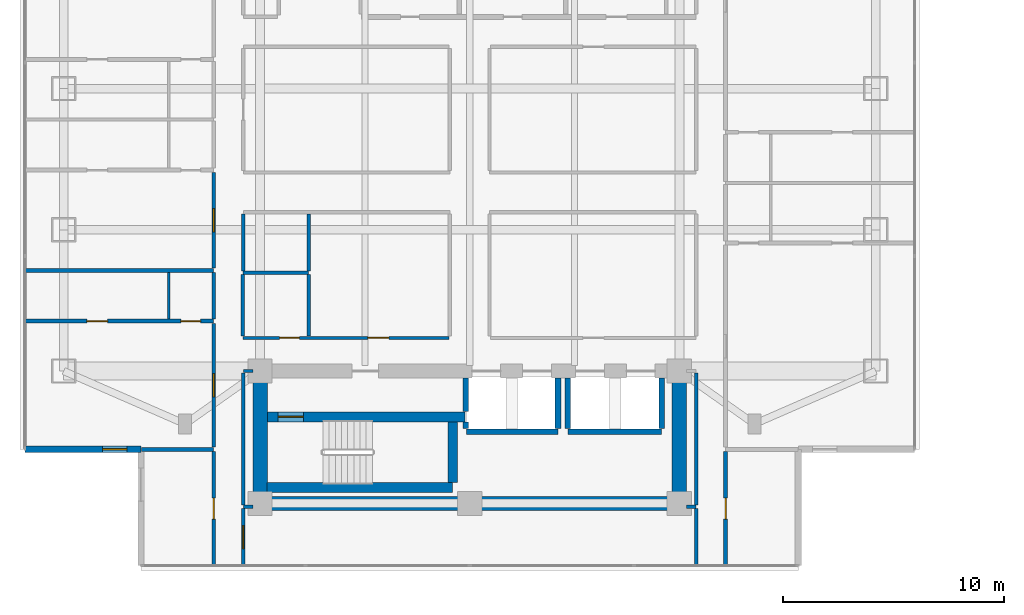
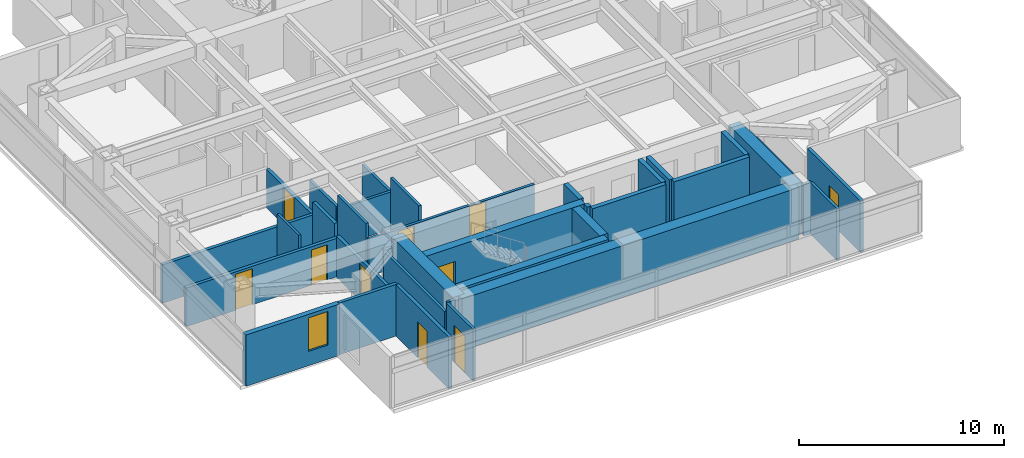
# One storey, part 14 of 26: 36 walls, 10 doors, 1 window, 11 openings.
"""IFC4 building model written with IfcOpenShell, lengths in metres."""

from ifc_helpers import new_model, si_unit, direction, frame, frame_2d, origin, place, context, subcontext, project, spatial, rectangle, extrude, material, layer, layer_set, type_object, element, fill, save


model = new_model("IFC4")

# Units and contexts
model_context = context("Model", 3, precision=1e-05, world=origin(), true_north=direction((0.0, 1.0)))
body_context = subcontext(model_context, "Body", "Model", "MODEL_VIEW")
ifc_project = project(units=[si_unit("LENGTHUNIT", "METRE"), si_unit("AREAUNIT", "SQUARE_METRE"), si_unit("VOLUMEUNIT", "CUBIC_METRE"), si_unit("PLANEANGLEUNIT", "RADIAN"), si_unit("MASSUNIT", "GRAM", prefix="KILO")], contexts=[model_context])

# Site, building, storey
site_placement = place(None, origin())
site = spatial("IfcSite", under=ifc_project, at=site_placement, CompositionType="ELEMENT")
building_placement = place(site_placement, origin())
building = spatial("IfcBuilding", under=site, at=building_placement, Name="Mirazonda Arch Towers", CompositionType="ELEMENT")
storey_placement = place(building_placement, frame((0.0, 0.0, 121.39990234375)))
storey = spatial("IfcBuildingStorey", under=building, at=storey_placement, Name="L34", CompositionType="ELEMENT", Elevation=121.39990234375)

# Wall
ifc_material_1 = material(Name="Concrete C50/60", Category="concrete")
ifc_layer_1 = layer(ifc_material_1, 0.449951171875, Name="WALL-CORE-450")
ifc_layer_set_1 = layer_set([ifc_layer_1], Name="Concrete C50/60")
wall_type_1 = type_object("IfcWallType", Name="WALL-CORE-450", PredefinedType="SHEAR", material=ifc_layer_set_1)
wall_1_placement = place(storey_placement, frame((11.320068359375, 13.1201171875, 0.0), z_axis=(0.0, 0.0, 1.0), x_axis=(1.0, 0.0, 0.0)))
element("IfcWall", 1, at=wall_1_placement, inside=storey, type_object=wall_type_1, Name="L34 Stair Core Shear Wall 003", PredefinedType="SHEAR", context=body_context, shape_type="SweptSolid", body=[
    extrude(rectangle(XDim=8.409912109375, YDim=0.449951171875, at=frame_2d((4.205078125, 0.0))), origin(), (0.0, 0.0, 1.0), 3.080078125),
])

# Wall, opening, door
wall_2_placement = place(storey_placement, frame((11.320068359375, 16.320068359375, 0.0), z_axis=(0.0, 0.0, 1.0), x_axis=(1.0, 0.0, 0.0)))
wall_2 = element("IfcWall", 2, at=wall_2_placement, inside=storey, type_object=wall_type_1, Name="L34 Stair Core Shear Wall 008", PredefinedType="SHEAR", context=body_context, shape_type="SweptSolid", body=[
    extrude(rectangle(XDim=8.9599609375, YDim=0.449951171875, at=frame_2d((4.47998046875, 0.0))), origin(), (0.0, 0.0, 1.0), 3.080078125),
])
opening_1_placement = place(wall_2_placement, frame((0.4951171875, 0.0, 0.0)))
opening_1 = element("IfcOpeningElement", 3, at=opening_1_placement, cuts=wall_2, Name="Opening DR-135", PredefinedType="OPENING", context=body_context, shape_type="SweptSolid", body=[
    extrude(rectangle(XDim=1.14990234375, YDim=2.199951171875, at=frame_2d((0.574951171875, 1.10009765625))), frame((0.0, 0.23486328125, 0.0), z_axis=(0.0, -1.0, 0.0), x_axis=(1.0, 0.0, 0.0)), (0.0, 0.0, 1.0), 0.469970703125),
])
ifc_material_2 = material(Name="Architectural Brushed Steel S355", Category="steel")
door_type_1 = type_object("IfcDoorType", Name="DOOR-STAIR-FD90-1150", OperationType="NOTDEFINED", PredefinedType="DOOR", material=ifc_material_2)
door_1_placement = place(opening_1_placement, origin())
door_1 = element("IfcDoor", 4, at=door_1_placement, inside=storey, type_object=door_type_1, Name="L34 Protected Exit Stair South Door", OperationType="SINGLE_SWING_LEFT", OverallHeight=2.199951171875, OverallWidth=1.14990234375, PredefinedType="DOOR", context=body_context, shape_type="SweptSolid", body=[
    extrude(rectangle(XDim=1.14990234375, YDim=2.199951171875, at=frame_2d((0.574951171875, 1.10009765625))), frame((0.0, 0.02490234375, 0.0), z_axis=(0.0, -1.0, 0.0), x_axis=(1.0, 0.0, 0.0)), (0.0, 0.0, 1.0), 0.050048828125),
])
fill(opening_1, door_1)

# Walls
wall_3_placement = place(storey_placement, frame((19.72998046875, 13.35498046875, 0.0), z_axis=(0.0, 0.0, 1.0), x_axis=(0.0, 1.0, 0.0)))
element("IfcWall", 5, at=wall_3_placement, inside=storey, type_object=wall_type_1, Name="L34 Stair Core Shear Wall 088", PredefinedType="SHEAR", context=body_context, shape_type="SweptSolid", body=[
    extrude(rectangle(XDim=2.72998046875, YDim=0.449951171875, at=frame_2d((1.364990234375, 0.0))), origin(), (0.0, 0.0, 1.0), 3.080078125),
])
ifc_material_3 = material(Name="Concrete C60/75", Category="concrete")
ifc_layer_2 = layer(ifc_material_3, 0.64990234375, Name="WALL-CORE-650")
ifc_layer_set_2 = layer_set([ifc_layer_2], Name="Concrete C60/75")
wall_type_2 = type_object("IfcWallType", Name="WALL-CORE-650", PredefinedType="SHEAR", material=ifc_layer_set_2)
wall_4_placement = place(storey_placement, frame((11.0, 12.39990234375, 0.0), z_axis=(0.0, 0.0, 1.0), x_axis=(1.0, 0.0, 0.0)))
element("IfcWall", 6, at=wall_4_placement, inside=storey, type_object=wall_type_2, Name="L34 T1S-S Core Shear Wall", PredefinedType="SHEAR", context=body_context, shape_type="SweptSolid", body=[
    extrude(rectangle(XDim=19.0, YDim=0.64990234375, at=frame_2d((9.5, 0.0))), origin(), (0.0, 0.0, 1.0), 3.080078125),
])
for number, where, z_axis, x_axis, name in (
    (7, (11.0, 12.39990234375, 0.0), (0.0, 0.0, 1.0), (0.0, 1.0, 0.0), "L34 T1S-W Core Shear Wall"),
    (8, (30.0, 12.39990234375, 0.0), (0.0, 0.0, 1.0), (0.0, 1.0, 0.0), "L34 T1S-E Core Shear Wall"),
):
    element("IfcWall", number, at=place(storey_placement, frame(where, z_axis=z_axis, x_axis=x_axis)), inside=storey, type_object=wall_type_2, Name=name, PredefinedType="SHEAR", context=body_context, shape_type="SweptSolid", body=[
        extrude(rectangle(XDim=6.0, YDim=0.64990234375, at=frame_2d((3.0, 0.0))), origin(), (0.0, 0.0, 1.0), 3.080078125),
    ])

# Wall, opening, window
ifc_material_4 = material(Name="Precast Concrete C40/50", Category="concrete")
ifc_layer_3 = layer(ifc_material_4, 0.280029296875, Name="WALL-EXT-WALL-280")
ifc_layer_set_3 = layer_set([ifc_layer_3], Name="Precast Concrete C40/50")
wall_type_3 = type_object("IfcWallType", Name="WALL-EXT-WALL-280", PredefinedType="SOLIDWALL", material=ifc_layer_set_3)
wall_5_placement = place(storey_placement, frame((0.340087890625, 14.85205078125, 0.0), z_axis=(0.0, 0.0, 1.0), x_axis=(1.0, 0.0, 0.0)))
wall_5 = element("IfcWall", 9, at=wall_5_placement, inside=storey, type_object=wall_type_3, Name="L34 T1 Corner Notch Return Wall WL-L34-T1-CSW2", PredefinedType="SOLIDWALL", context=body_context, shape_type="SweptSolid", body=[
    extrude(rectangle(XDim=5.27001953125, YDim=0.280029296875, at=frame_2d((2.635009765625, 0.0))), origin(), (0.0, 0.0, 1.0), 3.06005859375),
])
opening_2_placement = place(wall_5_placement, frame((3.52001953125, 0.0, 0.85009765625)))
opening_2 = element("IfcOpeningElement", 10, at=opening_2_placement, cuts=wall_5, Name="Opening WN-108", PredefinedType="OPENING", context=body_context, shape_type="SweptSolid", body=[
    extrude(rectangle(XDim=1.10009765625, YDim=2.0, at=frame_2d((0.550048828125, 1.0))), frame((0.0, 0.14990234375, 0.0), z_axis=(0.0, -1.0, 0.0), x_axis=(1.0, 0.0, 0.0)), (0.0, 0.0, 1.0), 0.300048828125),
])
ifc_material_5 = material(Name="Insulated Low-E Solar Glass", Category="glass")
window_type = type_object("IfcWindowType", Name="WIN-NOTCH-1100x2000", PartitioningType="SINGLE_PANEL", PredefinedType="WINDOW", material=ifc_material_5)
window_placement = place(opening_2_placement, origin())
window = element("IfcWindow", 11, at=window_placement, inside=storey, type_object=window_type, Name="L34 Punched Facade Window WN-L34-T1-CSW2", OverallHeight=2.0, OverallWidth=1.10009765625, PartitioningType="SINGLE_PANEL", PredefinedType="WINDOW", context=body_context, shape_type="SweptSolid", body=[
    extrude(rectangle(XDim=1.10009765625, YDim=2.0, at=frame_2d((0.550048828125, 1.0))), frame((0.0, 0.030029296875, 0.0), z_axis=(0.0, -1.0, 0.0), x_axis=(1.0, 0.0, 0.0)), (0.0, 0.0, 1.0), 0.06005859375),
])
fill(opening_2, window)

# Walls
ifc_material_6 = material(Name="Fire-Rated Gypsum Stud Partition")
ifc_layer_4 = layer(ifc_material_6, 0.14990234375, Name="WALL-PART-CORR-150")
ifc_layer_set_4 = layer_set([ifc_layer_4], Name="Fire-Rated Gypsum Stud Partition")
wall_type_4 = type_object("IfcWallType", Name="WALL-PART-CORR-150", PredefinedType="PARTITIONING", material=ifc_layer_set_4)
for number, where, z_axis, x_axis, name in (
    (12, (10.239990234375, 12.25, 0.0), (0.0, 0.0, 1.0), (1.0, 0.0, 0.0), "L34 Interior Partition 001"),
    (13, (30.320068359375, 12.25, 0.0), (0.0, 0.0, 1.0), (1.0, 0.0, 0.0), "L34 Interior Partition 002"),
):
    element("IfcWall", number, at=place(storey_placement, frame(where, z_axis=z_axis, x_axis=x_axis)), inside=storey, type_object=wall_type_4, Name=name, PredefinedType="PARTITIONING", context=body_context, shape_type="SweptSolid", body=[
        extrude(rectangle(XDim=0.43994140625, YDim=0.14990234375, at=frame_2d((0.219970703125, 0.0))), origin(), (0.0, 0.0, 1.0), 3.080078125),
    ])
wall_6_placement = place(storey_placement, frame((10.239990234375, 18.39990234375, 0.0), z_axis=(0.0, 0.0, 1.0), x_axis=(1.0, 0.0, 0.0)))
element("IfcWall", 14, at=wall_6_placement, inside=storey, type_object=wall_type_4, Name="L34 Interior Partition 012", PredefinedType="PARTITIONING", context=body_context, shape_type="SweptSolid", body=[
    extrude(rectangle(XDim=0.43994140625, YDim=0.14990234375, at=frame_2d((0.219970703125, 0.0))), origin(), (0.0, 0.0, 1.0), 2.4560546875),
])

# Wall, openings, doors
wall_7_placement = place(storey_placement, frame((10.219970703125, 19.89990234375, 0.0), z_axis=(0.0, 0.0, 1.0), x_axis=(1.0, 0.0, 0.0)))
wall_7 = element("IfcWall", 15, at=wall_7_placement, inside=storey, type_object=wall_type_4, Name="L34 Interior Partition 015", PredefinedType="PARTITIONING", context=body_context, shape_type="SweptSolid", body=[
    extrude(rectangle(XDim=9.340087890625, YDim=0.14990234375, at=frame_2d((4.669921875, 0.0))), origin(), (0.0, 0.0, 1.0), 2.216064453125),
])
opening_3_placement = place(wall_7_placement, frame((1.659912109375, 0.0, 0.0)))
opening_3 = element("IfcOpeningElement", 16, at=opening_3_placement, cuts=wall_7, Name="Opening DR-120", PredefinedType="OPENING", context=body_context, shape_type="SweptSolid", body=[
    extrude(rectangle(XDim=0.89990234375, YDim=2.10009765625, at=frame_2d((0.449951171875, 1.050048828125))), frame((0.0, 0.0849609375, 0.0), z_axis=(0.0, -1.0, 0.0), x_axis=(1.0, 0.0, 0.0)), (0.0, 0.0, 1.0), 0.169921875),
])
opening_4_placement = place(wall_7_placement, frame((5.6650390625, 0.0, 0.0)))
opening_4 = element("IfcOpeningElement", 17, at=opening_4_placement, cuts=wall_7, Name="Opening DR-104", PredefinedType="OPENING", context=body_context, shape_type="SweptSolid", body=[
    extrude(rectangle(XDim=0.949951171875, YDim=2.14990234375, at=frame_2d((0.47509765625, 1.074951171875))), frame((0.0, 0.0849609375, 0.0), z_axis=(0.0, -1.0, 0.0), x_axis=(1.0, 0.0, 0.0)), (0.0, 0.0, 1.0), 0.169921875),
])
door_type_2 = type_object("IfcDoorType", Name="DOOR-ROOM-950", OperationType="NOTDEFINED", PredefinedType="DOOR", material=ifc_material_2)
door_2_placement = place(opening_4_placement, origin())
door_2 = element("IfcDoor", 18, at=door_2_placement, inside=storey, type_object=door_type_2, Name="L34 L34 West Courtyard Study Door", OperationType="SINGLE_SWING_RIGHT", OverallHeight=2.14990234375, OverallWidth=0.949951171875, PredefinedType="DOOR", context=body_context, shape_type="SweptSolid", body=[
    extrude(rectangle(XDim=0.949951171875, YDim=2.14990234375, at=frame_2d((0.47509765625, 1.074951171875))), frame((0.0, 0.02490234375, 0.0), z_axis=(0.0, -1.0, 0.0), x_axis=(1.0, 0.0, 0.0)), (0.0, 0.0, 1.0), 0.050048828125),
])
fill(opening_4, door_2)
door_type_3 = type_object("IfcDoorType", Name="DOOR-WC-900", OperationType="NOTDEFINED", PredefinedType="DOOR", material=ifc_material_2)
door_3_placement = place(opening_3_placement, origin())
door_3 = element("IfcDoor", 19, at=door_3_placement, inside=storey, type_object=door_type_3, Name="L34 Common Accessible WC Door", OperationType="SINGLE_SWING_RIGHT", OverallHeight=2.10009765625, OverallWidth=0.89990234375, PredefinedType="DOOR", context=body_context, shape_type="SweptSolid", body=[
    extrude(rectangle(XDim=0.89990234375, YDim=2.10009765625, at=frame_2d((0.449951171875, 1.050048828125))), frame((0.0, 0.02490234375, 0.0), z_axis=(0.0, -1.0, 0.0), x_axis=(1.0, 0.0, 0.0)), (0.0, 0.0, 1.0), 0.050048828125),
])
fill(opening_3, door_3)

# Walls
wall_8_placement = place(storey_placement, frame((10.219970703125, 22.85009765625, 0.0), z_axis=(0.0, 0.0, 1.0), x_axis=(1.0, 0.0, 0.0)))
element("IfcWall", 20, at=wall_8_placement, inside=storey, type_object=wall_type_4, Name="L34 Interior Partition 024", PredefinedType="PARTITIONING", context=body_context, shape_type="SweptSolid", body=[
    extrude(rectangle(XDim=2.97998046875, YDim=0.14990234375, at=frame_2d((1.489990234375, 0.0))), origin(), (0.0, 0.0, 1.0), 2.216064453125),
])
wall_9_placement = place(storey_placement, frame((10.219970703125, 19.985107421875, 0.0), z_axis=(0.0, 0.0, 1.0), x_axis=(0.0, 1.0, 0.0)))
element("IfcWall", 21, at=wall_9_placement, inside=storey, type_object=wall_type_4, Name="L34 Interior Partition 074", PredefinedType="PARTITIONING", context=body_context, shape_type="SweptSolid", body=[
    extrude(rectangle(XDim=2.77978515625, YDim=0.14990234375, at=frame_2d((1.389892578125, 0.0))), origin(), (0.0, 0.0, 1.0), 3.080078125),
])

# Wall, opening, door
wall_10_placement = place(storey_placement, frame((10.239990234375, 9.58203125, 0.0), z_axis=(0.0, 0.0, 1.0), x_axis=(0.0, 1.0, 0.0)))
wall_10 = element("IfcWall", 22, at=wall_10_placement, inside=storey, type_object=wall_type_4, Name="L34 Interior Partition 075", PredefinedType="PARTITIONING", context=body_context, shape_type="SweptSolid", body=[
    extrude(rectangle(XDim=2.5830078125, YDim=0.14990234375, at=frame_2d((1.29150390625, 0.0))), origin(), (0.0, 0.0, 1.0), 3.080078125),
])
opening_5_placement = place(wall_10_placement, frame((0.7666015625, 0.0, 0.0)))
opening_5 = element("IfcOpeningElement", 23, at=opening_5_placement, cuts=wall_10, Name="Opening DR-121", PredefinedType="OPENING", context=body_context, shape_type="SweptSolid", body=[
    extrude(rectangle(XDim=1.050048828125, YDim=2.199951171875, at=frame_2d((0.52490234375, 1.10009765625))), frame((0.0, 0.0849609375, 0.0), z_axis=(0.0, -1.0, 0.0), x_axis=(1.0, 0.0, 0.0)), (0.0, 0.0, 1.0), 0.169921875),
])
door_type_4 = type_object("IfcDoorType", Name="DOOR-SUITE-FD60-1050", OperationType="NOTDEFINED", PredefinedType="DOOR", material=ifc_material_2)
door_4_placement = place(opening_5_placement, origin())
door_4 = element("IfcDoor", 24, at=door_4_placement, inside=storey, type_object=door_type_4, Name="L34 South Horizon Lounge Gallery Door", OperationType="SINGLE_SWING_RIGHT", OverallHeight=2.199951171875, OverallWidth=1.050048828125, PredefinedType="DOOR", context=body_context, shape_type="SweptSolid", body=[
    extrude(rectangle(XDim=1.050048828125, YDim=2.199951171875, at=frame_2d((0.52490234375, 1.10009765625))), frame((0.0, 0.02490234375, 0.0), z_axis=(0.0, -1.0, 0.0), x_axis=(1.0, 0.0, 0.0)), (0.0, 0.0, 1.0), 0.050048828125),
])
fill(opening_5, door_4)

# Walls
wall_11_placement = place(storey_placement, frame((10.239990234375, 12.3349609375, 0.0), z_axis=(0.0, 0.0, 1.0), x_axis=(0.0, 1.0, 0.0)))
element("IfcWall", 25, at=wall_11_placement, inside=storey, type_object=wall_type_4, Name="L34 Interior Partition 076", PredefinedType="PARTITIONING", context=body_context, shape_type="SweptSolid", body=[
    extrude(rectangle(XDim=5.97998046875, YDim=0.14990234375, at=frame_2d((2.989990234375, 0.0))), origin(), (0.0, 0.0, 1.0), 2.4560546875),
])
wall_12_placement = place(storey_placement, frame((10.239990234375, 22.93505859375, 0.0), z_axis=(0.0, 0.0, 1.0), x_axis=(0.0, 1.0, 0.0)))
element("IfcWall", 26, at=wall_12_placement, inside=storey, type_object=wall_type_4, Name="L34 Interior Partition 077", PredefinedType="PARTITIONING", context=body_context, shape_type="SweptSolid", body=[
    extrude(rectangle(XDim=2.579833984375, YDim=0.14990234375, at=frame_2d((1.2900390625, 0.0))), origin(), (0.0, 0.0, 1.0), 2.299072265625),
])
wall_13_placement = place(storey_placement, frame((13.199951171875, 19.985107421875, 0.0), z_axis=(0.0, 0.0, 1.0), x_axis=(0.0, 1.0, 0.0)))
element("IfcWall", 27, at=wall_13_placement, inside=storey, type_object=wall_type_4, Name="L34 Interior Partition 082", PredefinedType="PARTITIONING", context=body_context, shape_type="SweptSolid", body=[
    extrude(rectangle(XDim=2.77978515625, YDim=0.14990234375, at=frame_2d((1.389892578125, 0.0))), origin(), (0.0, 0.0, 1.0), 3.080078125),
])
wall_14_placement = place(storey_placement, frame((13.199951171875, 22.93505859375, 0.0), z_axis=(0.0, 0.0, 1.0), x_axis=(0.0, 1.0, 0.0)))
element("IfcWall", 28, at=wall_14_placement, inside=storey, type_object=wall_type_4, Name="L34 Interior Partition 083", PredefinedType="PARTITIONING", context=body_context, shape_type="SweptSolid", body=[
    extrude(rectangle(XDim=2.579833984375, YDim=0.14990234375, at=frame_2d((1.2900390625, 0.0))), origin(), (0.0, 0.0, 1.0), 2.216064453125),
])
wall_15_placement = place(storey_placement, frame((30.760009765625, 9.58203125, 0.0), z_axis=(0.0, 0.0, 1.0), x_axis=(0.0, 1.0, 0.0)))
element("IfcWall", 29, at=wall_15_placement, inside=storey, type_object=wall_type_4, Name="L34 Interior Partition 103", PredefinedType="PARTITIONING", context=body_context, shape_type="SweptSolid", body=[
    extrude(rectangle(XDim=2.5830078125, YDim=0.14990234375, at=frame_2d((1.29150390625, 0.0))), origin(), (0.0, 0.0, 1.0), 3.080078125),
])
wall_16_placement = place(storey_placement, frame((30.760009765625, 12.3349609375, 0.0), z_axis=(0.0, 0.0, 1.0), x_axis=(0.0, 1.0, 0.0)))
element("IfcWall", 30, at=wall_16_placement, inside=storey, type_object=wall_type_4, Name="L34 Interior Partition 104", PredefinedType="PARTITIONING", context=body_context, shape_type="SweptSolid", body=[
    extrude(rectangle(XDim=5.97998046875, YDim=0.14990234375, at=frame_2d((2.989990234375, 0.0))), origin(), (0.0, 0.0, 1.0), 2.4560546875),
])
ifc_material_7 = material(Name="Fire-Rated Gypsum Twin-Stud Assembly")
ifc_layer_5 = layer(ifc_material_7, 0.179931640625, Name="WALL-PART-DEMISE-180")
ifc_layer_set_5 = layer_set([ifc_layer_5], Name="Fire-Rated Gypsum Twin-Stud Assembly")
wall_type_5 = type_object("IfcWallType", Name="WALL-PART-DEMISE-180", PredefinedType="PARTITIONING", material=ifc_layer_set_5)
wall_17_placement = place(storey_placement, frame((5.6298828125, 14.85205078125, 0.0), z_axis=(0.0, 0.0, 1.0), x_axis=(1.0, 0.0, 0.0)))
element("IfcWall", 31, at=wall_17_placement, inside=storey, type_object=wall_type_5, Name="L34 Interior Partition 004", PredefinedType="PARTITIONING", context=body_context, shape_type="SweptSolid", body=[
    extrude(rectangle(XDim=3.27001953125, YDim=0.179931640625, at=frame_2d((1.635009765625, 0.0))), origin(), (0.0, 0.0, 1.0), 3.080078125),
])

# Wall, openings, doors
wall_18_placement = place(storey_placement, frame((0.340087890625, 20.660888671875, 0.0), z_axis=(0.0, 0.0, 1.0), x_axis=(1.0, 0.0, 0.0)))
wall_18 = element("IfcWall", 32, at=wall_18_placement, inside=storey, type_object=wall_type_5, Name="L34 Interior Partition 019", PredefinedType="PARTITIONING", context=body_context, shape_type="SweptSolid", body=[
    extrude(rectangle(XDim=8.559814453125, YDim=0.179931640625, at=frame_2d((4.27978515625, 0.0))), origin(), (0.0, 0.0, 1.0), 2.299072265625),
])
opening_6_placement = place(wall_18_placement, frame((2.804931640625, 0.0, 0.0)))
opening_6 = element("IfcOpeningElement", 33, at=opening_6_placement, cuts=wall_18, Name="Opening DR-104", PredefinedType="OPENING", context=body_context, shape_type="SweptSolid", body=[
    extrude(rectangle(XDim=0.949951171875, YDim=2.14990234375, at=frame_2d((0.47509765625, 1.074951171875))), frame((0.0, 0.099853515625, 0.0), z_axis=(0.0, -1.0, 0.0), x_axis=(1.0, 0.0, 0.0)), (0.0, 0.0, 1.0), 0.199951171875),
])
opening_7_placement = place(wall_18_placement, frame((7.070068359375, 0.0, 0.0)))
opening_7 = element("IfcOpeningElement", 34, at=opening_7_placement, cuts=wall_18, Name="Opening DR-120", PredefinedType="OPENING", context=body_context, shape_type="SweptSolid", body=[
    extrude(rectangle(XDim=0.89990234375, YDim=2.10009765625, at=frame_2d((0.449951171875, 1.050048828125))), frame((0.0, 0.099853515625, 0.0), z_axis=(0.0, -1.0, 0.0), x_axis=(1.0, 0.0, 0.0)), (0.0, 0.0, 1.0), 0.199951171875),
])
door_5_placement = place(opening_6_placement, origin())
door_5 = element("IfcDoor", 35, at=door_5_placement, inside=storey, type_object=door_type_2, Name="L34 Suite Bedroom 1 Door", OperationType="SINGLE_SWING_RIGHT", OverallHeight=2.14990234375, OverallWidth=0.949951171875, PredefinedType="DOOR", context=body_context, shape_type="SweptSolid", body=[
    extrude(rectangle(XDim=0.949951171875, YDim=2.14990234375, at=frame_2d((0.47509765625, 1.074951171875))), frame((0.0, 0.02490234375, 0.0), z_axis=(0.0, -1.0, 0.0), x_axis=(1.0, 0.0, 0.0)), (0.0, 0.0, 1.0), 0.050048828125),
])
fill(opening_6, door_5)
door_6_placement = place(opening_7_placement, origin())
door_6 = element("IfcDoor", 36, at=door_6_placement, inside=storey, type_object=door_type_3, Name="L34 Suite En-Suite Bathroom 1 Door", OperationType="SINGLE_SWING_LEFT", OverallHeight=2.10009765625, OverallWidth=0.89990234375, PredefinedType="DOOR", context=body_context, shape_type="SweptSolid", body=[
    extrude(rectangle(XDim=0.89990234375, YDim=2.10009765625, at=frame_2d((0.449951171875, 1.050048828125))), frame((0.0, 0.02490234375, 0.0), z_axis=(0.0, -1.0, 0.0), x_axis=(1.0, 0.0, 0.0)), (0.0, 0.0, 1.0), 0.050048828125),
])
fill(opening_7, door_6)

# Wall
wall_19_placement = place(storey_placement, frame((0.340087890625, 22.9609375, 0.0), z_axis=(0.0, 0.0, 1.0), x_axis=(1.0, 0.0, 0.0)))
element("IfcWall", 37, at=wall_19_placement, inside=storey, type_object=wall_type_5, Name="L34 Interior Partition 023", PredefinedType="PARTITIONING", context=body_context, shape_type="SweptSolid", body=[
    extrude(rectangle(XDim=8.559814453125, YDim=0.179931640625, at=frame_2d((4.27978515625, 0.0))), origin(), (0.0, 0.0, 1.0), 2.299072265625),
])

# Wall, opening, door
wall_20_placement = place(storey_placement, frame((8.89990234375, 9.58203125, 0.0), z_axis=(0.0, 0.0, 1.0), x_axis=(0.0, 1.0, 0.0)))
wall_20 = element("IfcWall", 38, at=wall_20_placement, inside=storey, type_object=wall_type_5, Name="L34 Interior Partition 066", PredefinedType="PARTITIONING", context=body_context, shape_type="SweptSolid", body=[
    extrude(rectangle(XDim=5.169921875, YDim=0.179931640625, at=frame_2d((2.5849609375, 0.0))), origin(), (0.0, 0.0, 1.0), 3.080078125),
])
opening_8_placement = place(wall_20_placement, frame((2.110107421875, 0.0, 0.0)))
opening_8 = element("IfcOpeningElement", 39, at=opening_8_placement, cuts=wall_20, Name="Opening DR-104", PredefinedType="OPENING", context=body_context, shape_type="SweptSolid", body=[
    extrude(rectangle(XDim=0.949951171875, YDim=2.14990234375, at=frame_2d((0.47509765625, 1.074951171875))), frame((0.0, 0.099853515625, 0.0), z_axis=(0.0, -1.0, 0.0), x_axis=(1.0, 0.0, 0.0)), (0.0, 0.0, 1.0), 0.199951171875),
])
door_7_placement = place(opening_8_placement, origin())
door_7 = element("IfcDoor", 40, at=door_7_placement, inside=storey, type_object=door_type_2, Name="L34 South Horizon Lounge Alcove West Door", OperationType="SINGLE_SWING_LEFT", OverallHeight=2.14990234375, OverallWidth=0.949951171875, PredefinedType="DOOR", context=body_context, shape_type="SweptSolid", body=[
    extrude(rectangle(XDim=0.949951171875, YDim=2.14990234375, at=frame_2d((0.47509765625, 1.074951171875))), frame((0.0, 0.02490234375, 0.0), z_axis=(0.0, -1.0, 0.0), x_axis=(1.0, 0.0, 0.0)), (0.0, 0.0, 1.0), 0.050048828125),
])
fill(opening_8, door_7)

wall_21_placement = place(storey_placement, frame((8.89990234375, 14.951904296875, 0.0), z_axis=(0.0, 0.0, 1.0), x_axis=(0.0, 1.0, 0.0)))
wall_21 = element("IfcWall", 41, at=wall_21_placement, inside=storey, type_object=wall_type_5, Name="L34 Interior Partition 067", PredefinedType="PARTITIONING", context=body_context, shape_type="SweptSolid", body=[
    extrude(rectangle(XDim=5.609130859375, YDim=0.179931640625, at=frame_2d((2.8046875, 0.0))), origin(), (0.0, 0.0, 1.0), 2.4560546875),
])
opening_9_placement = place(wall_21_placement, frame((2.279541015625, 0.0, 0.0)))
opening_9 = element("IfcOpeningElement", 42, at=opening_9_placement, cuts=wall_21, Name="Opening DR-121", PredefinedType="OPENING", context=body_context, shape_type="SweptSolid", body=[
    extrude(rectangle(XDim=1.050048828125, YDim=2.199951171875, at=frame_2d((0.52490234375, 1.10009765625))), frame((0.0, 0.099853515625, 0.0), z_axis=(0.0, -1.0, 0.0), x_axis=(1.0, 0.0, 0.0)), (0.0, 0.0, 1.0), 0.199951171875),
])
door_8_placement = place(opening_9_placement, origin())
door_8 = element("IfcDoor", 43, at=door_8_placement, inside=storey, type_object=door_type_4, Name="L34 Panoramic Suite Salon 1 Door", OperationType="SINGLE_SWING_LEFT", OverallHeight=2.199951171875, OverallWidth=1.050048828125, PredefinedType="DOOR", context=body_context, shape_type="SweptSolid", body=[
    extrude(rectangle(XDim=1.050048828125, YDim=2.199951171875, at=frame_2d((0.52490234375, 1.10009765625))), frame((0.0, 0.02490234375, 0.0), z_axis=(0.0, -1.0, 0.0), x_axis=(1.0, 0.0, 0.0)), (0.0, 0.0, 1.0), 0.050048828125),
])
fill(opening_9, door_8)

# Wall
wall_22_placement = place(storey_placement, frame((8.89990234375, 20.760986328125, 0.0), z_axis=(0.0, 0.0, 1.0), x_axis=(0.0, 1.0, 0.0)))
element("IfcWall", 44, at=wall_22_placement, inside=storey, type_object=wall_type_5, Name="L34 Interior Partition 068", PredefinedType="PARTITIONING", context=body_context, shape_type="SweptSolid", body=[
    extrude(rectangle(XDim=2.10009765625, YDim=0.179931640625, at=frame_2d((1.050048828125, 0.0))), origin(), (0.0, 0.0, 1.0), 3.080078125),
])

# Wall, opening, door
wall_23_placement = place(storey_placement, frame((8.89990234375, 23.06103515625, 0.0), z_axis=(0.0, 0.0, 1.0), x_axis=(0.0, 1.0, 0.0)))
wall_23 = element("IfcWall", 45, at=wall_23_placement, inside=storey, type_object=wall_type_5, Name="L34 Interior Partition 069", PredefinedType="PARTITIONING", context=body_context, shape_type="SweptSolid", body=[
    extrude(rectangle(XDim=4.3388671875, YDim=0.179931640625, at=frame_2d((2.16943359375, 0.0))), origin(), (0.0, 0.0, 1.0), 2.299072265625),
])
opening_10_placement = place(wall_23_placement, frame((1.64453125, 0.0, 0.0)))
opening_10 = element("IfcOpeningElement", 46, at=opening_10_placement, cuts=wall_23, Name="Opening DR-121", PredefinedType="OPENING", context=body_context, shape_type="SweptSolid", body=[
    extrude(rectangle(XDim=1.050048828125, YDim=2.199951171875, at=frame_2d((0.52490234375, 1.10009765625))), frame((0.0, 0.099853515625, 0.0), z_axis=(0.0, -1.0, 0.0), x_axis=(1.0, 0.0, 0.0)), (0.0, 0.0, 1.0), 0.199951171875),
])
door_9_placement = place(opening_10_placement, origin())
door_9 = element("IfcDoor", 47, at=door_9_placement, inside=storey, type_object=door_type_4, Name="L34 Deluxe Suite Living Room 2 Door", OperationType="SINGLE_SWING_RIGHT", OverallHeight=2.199951171875, OverallWidth=1.050048828125, PredefinedType="DOOR", context=body_context, shape_type="SweptSolid", body=[
    extrude(rectangle(XDim=1.050048828125, YDim=2.199951171875, at=frame_2d((0.52490234375, 1.10009765625))), frame((0.0, 0.02490234375, 0.0), z_axis=(0.0, -1.0, 0.0), x_axis=(1.0, 0.0, 0.0)), (0.0, 0.0, 1.0), 0.050048828125),
])
fill(opening_10, door_9)

wall_24_placement = place(storey_placement, frame((32.10009765625, 9.58203125, 0.0), z_axis=(0.0, 0.0, 1.0), x_axis=(0.0, 1.0, 0.0)))
wall_24 = element("IfcWall", 48, at=wall_24_placement, inside=storey, type_object=wall_type_5, Name="L34 Interior Partition 109", PredefinedType="PARTITIONING", context=body_context, shape_type="SweptSolid", body=[
    extrude(rectangle(XDim=5.169921875, YDim=0.179931640625, at=frame_2d((2.5849609375, 0.0))), origin(), (0.0, 0.0, 1.0), 3.080078125),
])
opening_11_placement = place(wall_24_placement, frame((2.110107421875, 0.0, 0.0)))
opening_11 = element("IfcOpeningElement", 49, at=opening_11_placement, cuts=wall_24, Name="Opening DR-104", PredefinedType="OPENING", context=body_context, shape_type="SweptSolid", body=[
    extrude(rectangle(XDim=0.949951171875, YDim=2.14990234375, at=frame_2d((0.47509765625, 1.074951171875))), frame((0.0, 0.099853515625, 0.0), z_axis=(0.0, -1.0, 0.0), x_axis=(1.0, 0.0, 0.0)), (0.0, 0.0, 1.0), 0.199951171875),
])
door_10_placement = place(opening_11_placement, origin())
door_10 = element("IfcDoor", 50, at=door_10_placement, inside=storey, type_object=door_type_2, Name="L34 South Horizon Lounge Alcove East Door", OperationType="SINGLE_SWING_RIGHT", OverallHeight=2.14990234375, OverallWidth=0.949951171875, PredefinedType="DOOR", context=body_context, shape_type="SweptSolid", body=[
    extrude(rectangle(XDim=0.949951171875, YDim=2.14990234375, at=frame_2d((0.47509765625, 1.074951171875))), frame((0.0, 0.02490234375, 0.0), z_axis=(0.0, -1.0, 0.0), x_axis=(1.0, 0.0, 0.0)), (0.0, 0.0, 1.0), 0.050048828125),
])
fill(opening_11, door_10)

# Walls
ifc_material_8 = material(Name="Acoustic Fire-Rated Gypsum Partition")
ifc_layer_6 = layer(ifc_material_8, 0.125, Name="WALL-PART-UNIT-125")
ifc_layer_set_6 = layer_set([ifc_layer_6], Name="Acoustic Fire-Rated Gypsum Partition")
wall_type_6 = type_object("IfcWallType", Name="WALL-PART-UNIT-125", PredefinedType="PARTITIONING", material=ifc_layer_set_6)
wall_25_placement = place(storey_placement, frame((6.860107421875, 20.760986328125, 0.0), z_axis=(0.0, 0.0, 1.0), x_axis=(0.0, 1.0, 0.0)))
element("IfcWall", 51, at=wall_25_placement, inside=storey, type_object=wall_type_6, Name="L34 Interior Partition 063", PredefinedType="PARTITIONING", context=body_context, shape_type="SweptSolid", body=[
    extrude(rectangle(XDim=2.10009765625, YDim=0.125, at=frame_2d((1.050048828125, 0.0))), origin(), (0.0, 0.0, 1.0), 3.080078125),
])
ifc_material_9 = material(Name="Concrete C40/50", Category="concrete")
ifc_layer_7 = layer(ifc_material_9, 0.25, Name="WALL-SHAFT-250")
ifc_layer_set_7 = layer_set([ifc_layer_7], Name="Concrete C40/50")
wall_type_7 = type_object("IfcWallType", Name="WALL-SHAFT-250", PredefinedType="SOLIDWALL", material=ifc_layer_set_7)
wall_26_placement = place(storey_placement, frame((20.35009765625, 15.64990234375, 0.0), z_axis=(0.0, 0.0, 1.0), x_axis=(1.0, 0.0, 0.0)))
element("IfcWall", 52, at=wall_26_placement, inside=storey, type_object=wall_type_7, Name="L34 Interior Partition 006", PredefinedType="SOLIDWALL", context=body_context, shape_type="SweptSolid", body=[
    extrude(rectangle(XDim=4.14990234375, YDim=0.25, at=frame_2d((2.074951171875, 0.0))), origin(), (0.0, 0.0, 1.0), 3.080078125),
])
wall_27_placement = place(storey_placement, frame((24.949951171875, 15.64990234375, 0.0), z_axis=(0.0, 0.0, 1.0), x_axis=(1.0, 0.0, 0.0)))
element("IfcWall", 53, at=wall_27_placement, inside=storey, type_object=wall_type_7, Name="L34 Interior Partition 007", PredefinedType="SOLIDWALL", context=body_context, shape_type="SweptSolid", body=[
    extrude(rectangle(XDim=4.25, YDim=0.25, at=frame_2d((2.125, 0.0))), origin(), (0.0, 0.0, 1.0), 3.080078125),
])
wall_28_placement = place(storey_placement, frame((20.31494140625, 15.784912109375, 0.0), z_axis=(0.0, 0.0, 1.0), x_axis=(0.0, 1.0, 0.0)))
element("IfcWall", 54, at=wall_28_placement, inside=storey, type_object=wall_type_7, Name="L34 Interior Partition 090", PredefinedType="SOLIDWALL", context=body_context, shape_type="SweptSolid", body=[
    extrude(rectangle(XDim=0.300048828125, YDim=0.25, at=frame_2d((0.14990234375, 0.0))), origin(), (0.0, 0.0, 1.0), 3.080078125),
])
wall_29_placement = place(storey_placement, frame((20.31494140625, 16.554931640625, 0.0), z_axis=(0.0, 0.0, 1.0), x_axis=(0.0, 1.0, 0.0)))
element("IfcWall", 55, at=wall_29_placement, inside=storey, type_object=wall_type_7, Name="L34 Interior Partition 091", PredefinedType="SOLIDWALL", context=body_context, shape_type="SweptSolid", body=[
    extrude(rectangle(XDim=1.525146484375, YDim=0.25, at=frame_2d((0.7626953125, 0.0))), origin(), (0.0, 0.0, 1.0), 3.080078125),
])
for number, where, z_axis, x_axis, name in (
    (56, (24.5, 15.784912109375, 0.0), (0.0, 0.0, 1.0), (0.0, 1.0, 0.0), "L34 Interior Partition 095"),
    (57, (24.949951171875, 15.784912109375, 0.0), (0.0, 0.0, 1.0), (0.0, 1.0, 0.0), "L34 Interior Partition 097"),
    (58, (29.199951171875, 15.784912109375, 0.0), (0.0, 0.0, 1.0), (0.0, 1.0, 0.0), "L34 Interior Partition 100"),
):
    element("IfcWall", number, at=place(storey_placement, frame(where, z_axis=z_axis, x_axis=x_axis)), inside=storey, type_object=wall_type_7, Name=name, PredefinedType="SOLIDWALL", context=body_context, shape_type="SweptSolid", body=[
        extrude(rectangle(XDim=2.295166015625, YDim=0.25, at=frame_2d((1.1474609375, 0.0))), origin(), (0.0, 0.0, 1.0), 3.080078125),
    ])

save(model, "model.ifc")
